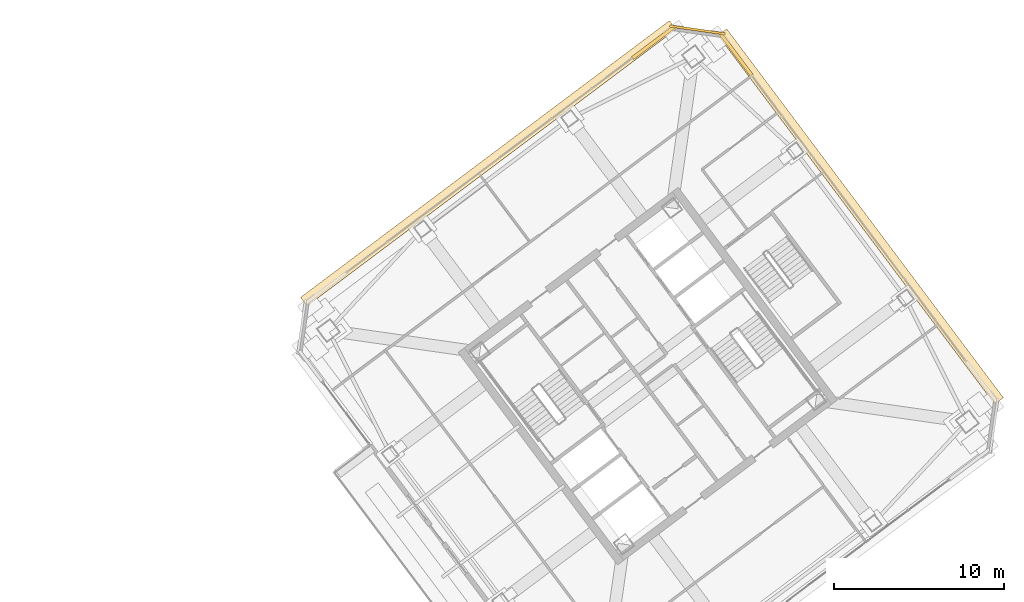
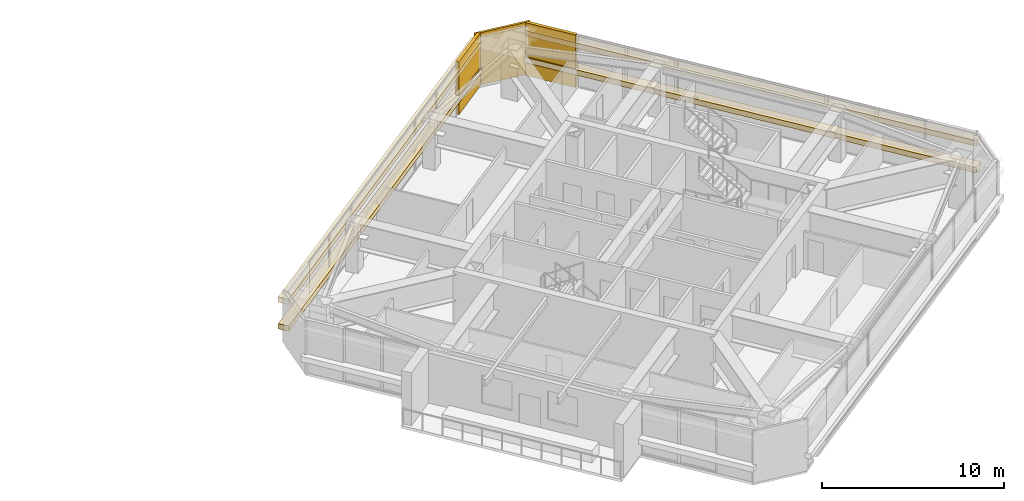
# One storey, part 40 of 40: 7 coverings.
"""IFC4 building model written with IfcOpenShell, lengths in metres."""

from ifc_helpers import new_model, si_unit, direction, frame, origin, origin_2d, place, context, subcontext, project, spatial, rectangle, extrude, material, layer, layer_set, type_object, element, save


model = new_model("IFC4")

# Units and contexts
model_context = context("Model", 3, precision=1e-05, world=origin(), true_north=direction((0.0, 1.0)))
body_context = subcontext(model_context, "Body", "Model", "MODEL_VIEW")
ifc_project = project(units=[si_unit("LENGTHUNIT", "METRE"), si_unit("AREAUNIT", "SQUARE_METRE"), si_unit("VOLUMEUNIT", "CUBIC_METRE"), si_unit("PLANEANGLEUNIT", "RADIAN"), si_unit("MASSUNIT", "GRAM", prefix="KILO")], contexts=[model_context])

# Site, building, storey
site_placement = place(None, origin())
site = spatial("IfcSite", under=ifc_project, at=site_placement, CompositionType="ELEMENT")
building_placement = place(site_placement, origin())
building = spatial("IfcBuilding", under=site, at=building_placement, Name="Tashvorn Skyway Center", CompositionType="ELEMENT")
storey_placement = place(building_placement, frame((0.0, 0.0, 229.050048828125)))
storey = spatial("IfcBuildingStorey", under=building, at=storey_placement, Name="L62", CompositionType="ELEMENT", Elevation=229.050048828125)

# Coverings
ifc_material_1 = material(Name="Precast concrete C40/50", Category="concrete")
ifc_layer_1 = layer(ifc_material_1, 0.199951171875)
ifc_layer_set_1 = layer_set([ifc_layer_1], Name="Precast concrete C40/50")
covering_type_1 = type_object("IfcCoveringType", Name="COV-BRACE-CLAD", PredefinedType="CLADDING", material=ifc_layer_set_1)
for number, where, z_axis, x_axis, name in (
    (1, (114.2978515625, 51.5732421875, 0.0), (0.0, 0.0, 1.0), (0.799999996291, 0.600000004945, 0.0), "Tower 2 L62 North Unitised Curtain Wall Mega-Brace Cladding Band 2"),
    (2, (119.194580078125, 50.873779296875, 0.0), (0.0, 0.0, 1.0), (0.600000004945, -0.799999996291, 0.0), "Tower 2 L62 East Unitised Curtain Wall Mega-Brace Cladding Band 1"),
):
    element("IfcCovering", number, at=place(storey_placement, frame(where, z_axis=z_axis, x_axis=x_axis)), inside=storey, type_object=covering_type_1, Name=name, PredefinedType="CLADDING", context=body_context, shape_type="SweptSolid", body=[
        extrude(rectangle(XDim=2.99560546875, YDim=0.199951171875, at=origin_2d()), origin(), (0.0, 0.0, 1.0), 3.550048828125),
    ])
ifc_material_2 = material(Name="Perforated ceramic-coated bronze aluminium solar screen", Category="aluminium")
ifc_layer_2 = layer(ifc_material_2, 0.85009765625)
ifc_layer_set_2 = layer_set([ifc_layer_2], Name="Perforated ceramic-coated bronze aluminium solar screen")
covering_type_2 = type_object("IfcCoveringType", Name="COV-SOLAR-BAND", PredefinedType="CLADDING", material=ifc_layer_set_2)
for number, where, z_axis, x_axis, name in (
    (3, (104.6279296875, 44.49609375, 0.919921875), (0.0, 0.0, 1.0), (0.799999996291, 0.600000004945, 0.0), "L62 Perforated Ceramic-Metal Solar Screen Louvre Band North 1"),
    (4, (104.6279296875, 44.49609375, 2.7197265625), (0.0, 0.0, 1.0), (0.799999996291, 0.600000004945, 0.0), "L62 Perforated Ceramic-Metal Solar Screen Louvre Band North 2"),
    (5, (126.49609375, 41.3720703125, 0.919921875), (0.0, 0.0, 1.0), (0.600000004945, -0.799999996291, 0.0), "L62 Perforated Ceramic-Metal Solar Screen Louvre Band East 1"),
    (6, (126.49609375, 41.3720703125, 2.7197265625), (0.0, 0.0, 1.0), (0.600000004945, -0.799999996291, 0.0), "L62 Perforated Ceramic-Metal Solar Screen Louvre Band East 2"),
):
    element("IfcCovering", number, at=place(storey_placement, frame(where, z_axis=z_axis, x_axis=x_axis)), inside=storey, type_object=covering_type_2, Name=name, PredefinedType="CLADDING", context=body_context, shape_type="SweptSolid", body=[
        extrude(rectangle(XDim=27.080078125, YDim=0.639892578125, at=origin_2d()), origin(), (0.0, 0.0, 1.0), 0.360107421875),
    ])
ifc_layer_3 = layer(ifc_material_1, 0.35009765625)
ifc_layer_set_3 = layer_set([ifc_layer_3], Name="Precast concrete C40/50")
covering_type_3 = type_object("IfcCoveringType", Name="COV-STONE-TRIM", PredefinedType="CLADDING", material=ifc_layer_set_3)
covering_placement = place(storey_placement, frame((116.904052734375, 52.327880859375, 0.02001953125), z_axis=(0.0, 0.0, 1.0), x_axis=(0.989949494535, -0.141421350118, 0.0)))
element("IfcCovering", 7, at=covering_placement, inside=storey, type_object=covering_type_3, Name="Tower 2 L62 NE Mojave Limestone Corner Quoin", PredefinedType="CLADDING", context=body_context, shape_type="SweptSolid", body=[
    extrude(rectangle(XDim=3.271240234375, YDim=0.139892578125, at=origin_2d()), origin(), (0.0, 0.0, 1.0), 3.510009765625),
])

save(model, "model.ifc")
